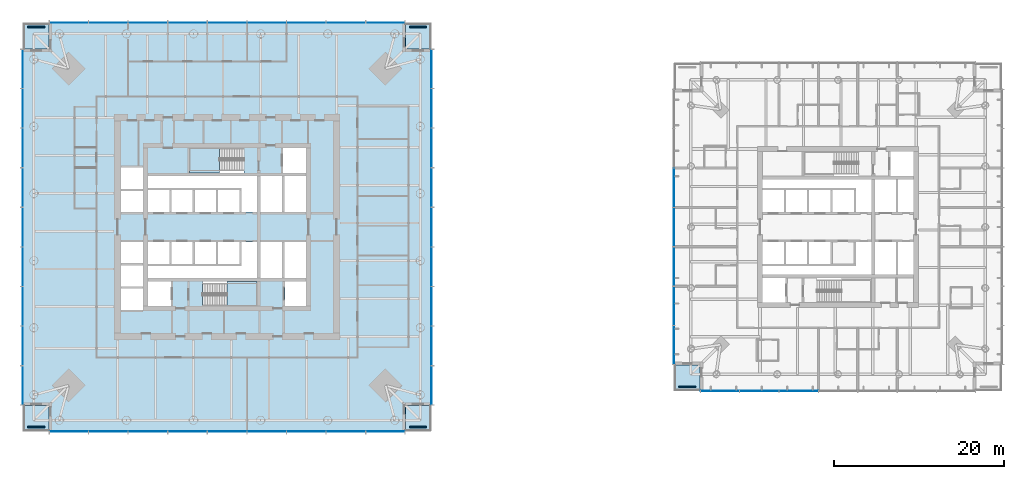
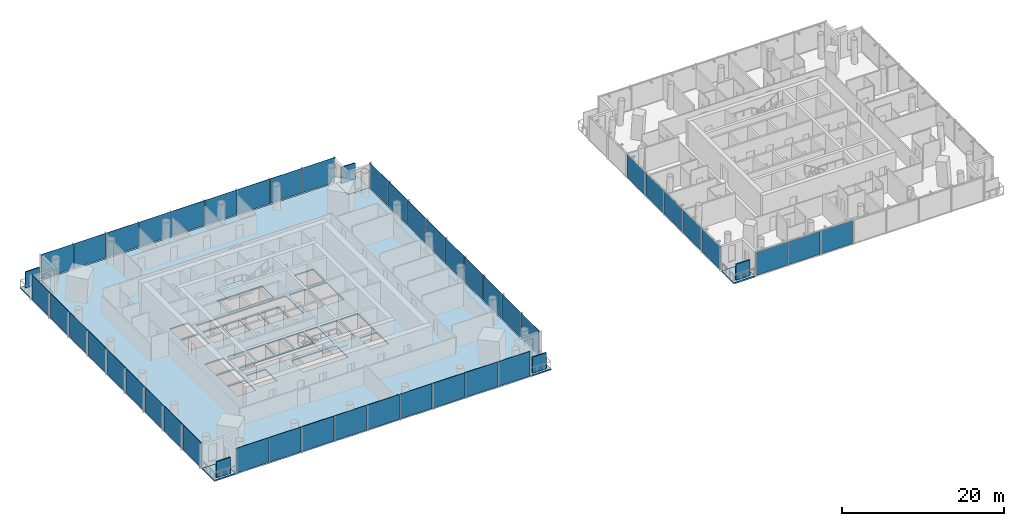
# One storey, part 8 of 21: 49 plates, 8 slabs, 8 elements without a shape of their own.
"""IFC4 building model written with IfcOpenShell, lengths in metres."""

from ifc_helpers import new_model, si_unit, direction, frame, origin, origin_2d, place, context, subcontext, project, spatial, polyline, rectangle, outline, extrude, material, layer, layer_set, type_object, element, aggregate, save


model = new_model("IFC4")

# Units and contexts
model_context = context("Model", 3, precision=1e-05, world=origin(), true_north=direction((0.0, 1.0)))
body_context = subcontext(model_context, "Body", "Model", "MODEL_VIEW")
ifc_project = project(units=[si_unit("LENGTHUNIT", "METRE"), si_unit("AREAUNIT", "SQUARE_METRE"), si_unit("VOLUMEUNIT", "CUBIC_METRE"), si_unit("PLANEANGLEUNIT", "RADIAN"), si_unit("MASSUNIT", "GRAM", prefix="KILO")], contexts=[model_context])

# Site, building, storey
site_placement = place(None, origin())
site = spatial("IfcSite", under=ifc_project, at=site_placement, CompositionType="ELEMENT")
building_placement = place(site_placement, origin())
building = spatial("IfcBuilding", under=site, at=building_placement, Name="Ostroluk Exchange", CompositionType="ELEMENT")
storey_placement = place(building_placement, frame((0.0, 0.0, 59.0)))
storey = spatial("IfcBuildingStorey", under=building, at=storey_placement, Name="L14", CompositionType="ELEMENT", Elevation=59.0)

# Curtain wall, plates
ifc_material_1 = material(Name="Laminated clear glass", Category="glass")
curtain_wall_type_1 = type_object("IfcCurtainWallType", Name="Hotel guest floor facade", PredefinedType="USERDEFINED", material=ifc_material_1)
curtain_wall_1_placement = place(storey_placement, origin())
curtain_wall_1 = element("IfcCurtainWall", 1, at=curtain_wall_1_placement, inside=storey, type_object=curtain_wall_type_1, Name="Hotel tower south facade L14", ObjectType="UNITISED CURTAIN WALL", PredefinedType="USERDEFINED")
ifc_material_2 = material(Name="Laminated clear glass", Category="glass")
ifc_layer_1 = layer(ifc_material_2, 0.0400390625)
ifc_layer_set_1 = layer_set([ifc_layer_1], Name="Acoustic laminated glazing 40")
plate_type_1 = type_object("IfcPlateType", Name="Acoustic laminated glazing 40", PredefinedType="CURTAIN_PANEL", material=ifc_layer_set_1)
plate_1_placement = place(storey_placement, frame((103.09130859375, 26.675048828125, 0.080078125), z_axis=(0.0, 0.0, 1.0), x_axis=(1.0, 0.0, 0.0)))
plate_1 = element("IfcPlate", 2, at=plate_1_placement, type_object=plate_type_1, Name="CW-H1 panel 1.1", PredefinedType="CURTAIN_PANEL", context=body_context, shape_type="SweptSolid", body=[
    extrude(rectangle(XDim=4.52294921875, YDim=0.0400390625, at=origin_2d()), origin(), (0.0, 0.0, 1.0), 3.489990234375),
])
plate_2_placement = place(storey_placement, frame((107.71435546875, 26.675048828125, 0.080078125), z_axis=(0.0, 0.0, 1.0), x_axis=(1.0, 0.0, 0.0)))
plate_2 = element("IfcPlate", 3, at=plate_2_placement, type_object=plate_type_1, Name="CW-H1 panel 2.1", PredefinedType="CURTAIN_PANEL", context=body_context, shape_type="SweptSolid", body=[
    extrude(rectangle(XDim=4.562744140625, YDim=0.0400390625, at=origin_2d()), origin(), (0.0, 0.0, 1.0), 3.489990234375),
])
plate_3_placement = place(storey_placement, frame((112.357177734375, 26.675048828125, 0.080078125), z_axis=(0.0, 0.0, 1.0), x_axis=(1.0, 0.0, 0.0)))
plate_3 = element("IfcPlate", 4, at=plate_3_placement, type_object=plate_type_1, Name="CW-H1 panel 3.1", PredefinedType="CURTAIN_PANEL", context=body_context, shape_type="SweptSolid", body=[
    extrude(rectangle(XDim=4.562744140625, YDim=0.0400390625, at=origin_2d()), origin(), (0.0, 0.0, 1.0), 3.489990234375),
])
aggregate(curtain_wall_1, [plate_1, plate_2, plate_3])

curtain_wall_2_placement = place(storey_placement, origin())
curtain_wall_2 = element("IfcCurtainWall", 5, at=curtain_wall_2_placement, inside=storey, type_object=curtain_wall_type_1, Name="Hotel tower west facade L14", ObjectType="UNITISED CURTAIN WALL", PredefinedType="USERDEFINED")
plate_4_placement = place(storey_placement, frame((97.675048828125, 50.642822265625, 0.080078125), z_axis=(0.0, 0.0, 1.0), x_axis=(0.0, -1.0, 0.0)))
plate_4 = element("IfcPlate", 6, at=plate_4_placement, type_object=plate_type_1, Name="CW-H1 panel 3.1", PredefinedType="CURTAIN_PANEL", context=body_context, shape_type="SweptSolid", body=[
    extrude(rectangle(XDim=4.562744140625, YDim=0.0400390625, at=origin_2d()), origin(), (0.0, 0.0, 1.0), 3.489990234375),
])
plate_5_placement = place(storey_placement, frame((97.675048828125, 46.0, 0.080078125), z_axis=(0.0, 0.0, 1.0), x_axis=(0.0, -1.0, 0.0)))
plate_5 = element("IfcPlate", 7, at=plate_5_placement, type_object=plate_type_1, Name="CW-H1 panel 4.1", PredefinedType="CURTAIN_PANEL", context=body_context, shape_type="SweptSolid", body=[
    extrude(rectangle(XDim=4.562744140625, YDim=0.0400390625, at=origin_2d()), origin(), (0.0, 0.0, 1.0), 3.489990234375),
])
plate_6_placement = place(storey_placement, frame((97.675048828125, 41.357177734375, 0.080078125), z_axis=(0.0, 0.0, 1.0), x_axis=(0.0, -1.0, 0.0)))
plate_6 = element("IfcPlate", 8, at=plate_6_placement, type_object=plate_type_1, Name="CW-H1 panel 5.1", PredefinedType="CURTAIN_PANEL", context=body_context, shape_type="SweptSolid", body=[
    extrude(rectangle(XDim=4.562744140625, YDim=0.0400390625, at=origin_2d()), origin(), (0.0, 0.0, 1.0), 3.489990234375),
])
plate_7_placement = place(storey_placement, frame((97.675048828125, 36.71435546875, 0.080078125), z_axis=(0.0, 0.0, 1.0), x_axis=(0.0, -1.0, 0.0)))
plate_7 = element("IfcPlate", 9, at=plate_7_placement, type_object=plate_type_1, Name="CW-H1 panel 6.1", PredefinedType="CURTAIN_PANEL", context=body_context, shape_type="SweptSolid", body=[
    extrude(rectangle(XDim=4.562744140625, YDim=0.0400390625, at=origin_2d()), origin(), (0.0, 0.0, 1.0), 3.489990234375),
])
plate_8_placement = place(storey_placement, frame((97.675048828125, 32.09130859375, 0.080078125), z_axis=(0.0, 0.0, 1.0), x_axis=(0.0, -1.0, 0.0)))
plate_8 = element("IfcPlate", 10, at=plate_8_placement, type_object=plate_type_1, Name="CW-H1 panel 7.1", PredefinedType="CURTAIN_PANEL", context=body_context, shape_type="SweptSolid", body=[
    extrude(rectangle(XDim=4.52294921875, YDim=0.0400390625, at=origin_2d()), origin(), (0.0, 0.0, 1.0), 3.489990234375),
])
aggregate(curtain_wall_2, [plate_4, plate_5, plate_6, plate_7, plate_8])

# Slabs
ifc_material_3 = material(Name="Concrete C35/45", Category="concrete")
ifc_layer_2 = layer(ifc_material_3, 0.179931640625)
ifc_layer_set_2 = layer_set([ifc_layer_2], Name="Balcony slab 180")
slab_type_1 = type_object("IfcSlabType", Name="Balcony slab 180", PredefinedType="USERDEFINED", material=ifc_layer_set_2)
slab_1_placement = place(storey_placement, frame((0.0, 0.0, -0.179931640625)))
element("IfcSlab", 11, at=slab_1_placement, inside=storey, type_object=slab_type_1, Name="Office tower SE corner balcony L14", ObjectType="BALCONY", PredefinedType="USERDEFINED", context=body_context, shape_type="SweptSolid", body=[
    extrude(outline(polyline([(66.0, 22.0), (69.0, 22.0), (69.0, 25.0), (66.0, 25.0), (66.0, 22.0)])), origin(), (0.0, 0.0, 1.0), 0.179931640625),
])
slab_2_placement = place(storey_placement, frame((0.0, 0.0, -0.179931640625)))
element("IfcSlab", 12, at=slab_2_placement, inside=storey, type_object=slab_type_1, Name="Office tower NE corner balcony L14", ObjectType="BALCONY", PredefinedType="USERDEFINED", context=body_context, shape_type="SweptSolid", body=[
    extrude(outline(polyline([(66.0, 67.0), (69.0, 67.0), (69.0, 70.0), (66.0, 70.0), (66.0, 67.0)])), origin(), (0.0, 0.0, 1.0), 0.179931640625),
])
slab_3_placement = place(storey_placement, frame((0.0, 0.0, -0.179931640625)))
element("IfcSlab", 13, at=slab_3_placement, inside=storey, type_object=slab_type_1, Name="Office tower NW corner balcony L14", ObjectType="BALCONY", PredefinedType="USERDEFINED", context=body_context, shape_type="SweptSolid", body=[
    extrude(outline(polyline([(21.0, 67.0), (24.0, 67.0), (24.0, 70.0), (21.0, 70.0), (21.0, 67.0)])), origin(), (0.0, 0.0, 1.0), 0.179931640625),
])
slab_4_placement = place(storey_placement, frame((0.0, 0.0, -0.179931640625)))
element("IfcSlab", 14, at=slab_4_placement, inside=storey, type_object=slab_type_1, Name="Office tower SW corner balcony L14", ObjectType="BALCONY", PredefinedType="USERDEFINED", context=body_context, shape_type="SweptSolid", body=[
    extrude(outline(polyline([(21.0, 22.0), (24.0, 22.0), (24.0, 25.0), (21.0, 25.0), (21.0, 22.0)])), origin(), (0.0, 0.0, 1.0), 0.179931640625),
])
ifc_material_4 = material(Name="Concrete C35/45", Category="concrete")
ifc_layer_3 = layer(ifc_material_4, 0.199951171875)
ifc_layer_set_3 = layer_set([ifc_layer_3], Name="Balcony slab 200")
slab_type_2 = type_object("IfcSlabType", Name="Balcony slab 200", PredefinedType="USERDEFINED", material=ifc_layer_set_3)
slab_5_placement = place(storey_placement, frame((0.0, 0.0, -0.199951171875)))
element("IfcSlab", 15, at=slab_5_placement, inside=storey, type_object=slab_type_2, Name="Hotel tower SW corner balcony L14", ObjectType="BALCONY", PredefinedType="USERDEFINED", context=body_context, shape_type="SweptSolid", body=[
    extrude(outline(polyline([(97.75, 26.75), (100.75, 26.75), (100.75, 29.75), (97.75, 29.75), (97.75, 26.75)])), origin(), (0.0, 0.0, 1.0), 0.199951171875),
])

# Plates
ifc_material_5 = material(Name="Steel S355 trellis with planting", Category="steel")
ifc_layer_4 = layer(ifc_material_5, 0.14990234375)
ifc_layer_set_4 = layer_set([ifc_layer_4], Name="Planted screen 150")
plate_type_2 = type_object("IfcPlateType", Name="Planted screen 150", PredefinedType="USERDEFINED", material=ifc_layer_set_4)
for number, where, z_axis, x_axis, name in (
    (16, (67.5, 22.425048828125, 0.0), (0.0, 0.0, 1.0), (1.0, 0.0, 0.0), "Office tower SE planted screen L14"),
    (17, (67.5, 69.574951171875, 0.0), (0.0, 0.0, 1.0), (1.0, 0.0, 0.0), "Office tower NE planted screen L14"),
    (18, (22.5, 69.574951171875, 0.0), (0.0, 0.0, 1.0), (1.0, 0.0, 0.0), "Office tower NW planted screen L14"),
    (19, (22.5, 22.425048828125, 0.0), (0.0, 0.0, 1.0), (1.0, 0.0, 0.0), "Office tower SW planted screen L14"),
    (20, (99.25, 27.175048828125, 0.0), (0.0, 0.0, 1.0), (1.0, 0.0, 0.0), "Hotel tower SW planted screen L14"),
):
    element("IfcPlate", number, at=place(storey_placement, frame(where, z_axis=z_axis, x_axis=x_axis)), inside=storey, type_object=plate_type_2, Name=name, ObjectType="PLANTED SCREEN", PredefinedType="USERDEFINED", context=body_context, shape_type="SweptSolid", body=[
        extrude(rectangle(XDim=2.0, YDim=0.14990234375, at=origin_2d()), origin(), (0.0, 0.0, 1.0), 2.39990234375),
    ])

# Stair, slab
ifc_material_6 = material(Name="Concrete C30/37", Category="concrete")
stair_type = type_object("IfcStairType", Name="Exit stair half turn 3800", PredefinedType="HALF_TURN_STAIR", material=ifc_material_6)
stair_1_placement = place(storey_placement, origin())
stair_1 = element("IfcStair", 21, at=stair_1_placement, inside=storey, type_object=stair_type, Name="Stair T1-S1 L14", PredefinedType="HALF_TURN_STAIR")
ifc_material_7 = material(Name="Concrete C30/37", Category="concrete")
ifc_layer_5 = layer(ifc_material_7, 0.199951171875)
ifc_layer_set_5 = layer_set([ifc_layer_5], Name="Stair landing 200")
slab_type_3 = type_object("IfcSlabType", Name="Stair landing 200", PredefinedType="LANDING", material=ifc_layer_set_5)
slab_6_placement = place(storey_placement, frame((0.0, 0.0, 1.699951171875)))
slab_6 = element("IfcSlab", 22, at=slab_6_placement, type_object=slab_type_3, Name="T1-S1 landing 1", PredefinedType="LANDING", context=body_context, shape_type="SweptSolid", body=[
    extrude(outline(polyline([(45.0, 36.699951171875), (45.0, 39.60009765625), (48.530029296875, 39.60009765625), (48.530029296875, 36.699951171875), (45.0, 36.699951171875)])), origin(), (0.0, 0.0, 1.0), 0.199951171875),
])
aggregate(stair_1, [slab_6])

stair_2_placement = place(storey_placement, origin())
stair_2 = element("IfcStair", 23, at=stair_2_placement, inside=storey, type_object=stair_type, Name="Stair T1-S2 L14", PredefinedType="HALF_TURN_STAIR")
slab_7_placement = place(storey_placement, frame((0.0, 0.0, 1.699951171875)))
slab_7 = element("IfcSlab", 24, at=slab_7_placement, type_object=slab_type_3, Name="T1-S2 landing 1", PredefinedType="LANDING", context=body_context, shape_type="SweptSolid", body=[
    extrude(outline(polyline([(44.1298828125, 52.39990234375), (44.1298828125, 55.300048828125), (40.60009765625, 55.300048828125), (40.60009765625, 52.39990234375), (44.1298828125, 52.39990234375)])), origin(), (0.0, 0.0, 1.0), 0.199951171875),
])
aggregate(stair_2, [slab_7])

# Slab
ifc_material_8 = material(Name="Concrete C35/45", Category="concrete")
ifc_layer_6 = layer(ifc_material_8, 0.179931640625)
ifc_layer_set_6 = layer_set([ifc_layer_6], Name="Tower floor slab 180 composite")
slab_type_4 = type_object("IfcSlabType", Name="Tower floor slab 180 composite", PredefinedType="FLOOR", material=ifc_layer_set_6)
slab_8_placement = place(storey_placement, frame((0.0, 0.0, -0.179931640625)))
element("IfcSlab", 25, at=slab_8_placement, inside=storey, type_object=slab_type_4, Name="Office tower floor slab L14", PredefinedType="FLOOR", context=body_context, shape_type="SweptSolid", body=[
    extrude(outline(polyline([(24.0, 22.0), (66.0, 22.0), (66.0, 25.0), (69.0, 25.0), (69.0, 67.0), (66.0, 67.0), (66.0, 70.0), (24.0, 70.0), (24.0, 67.0), (21.0, 67.0), (21.0, 25.0), (24.0, 25.0), (24.0, 22.0)]), holes=[polyline([(35.699951171875, 36.699951171875), (38.39990234375, 36.699951171875), (38.39990234375, 39.60009765625), (35.699951171875, 39.60009765625), (35.699951171875, 36.699951171875)]), polyline([(42.110107421875, 36.699951171875), (48.530029296875, 36.699951171875), (48.530029296875, 39.60009765625), (42.110107421875, 39.60009765625), (42.110107421875, 36.699951171875)]), polyline([(51.800048828125, 36.699951171875), (54.300048828125, 36.699951171875), (54.300048828125, 39.60009765625), (51.800048828125, 39.60009765625), (51.800048828125, 36.699951171875)]), polyline([(40.60009765625, 52.39990234375), (47.02001953125, 52.39990234375), (47.02001953125, 55.300048828125), (40.60009765625, 55.300048828125), (40.60009765625, 52.39990234375)]), polyline([(51.60009765625, 52.39990234375), (54.300048828125, 52.39990234375), (54.300048828125, 55.300048828125), (51.60009765625, 55.300048828125), (51.60009765625, 52.39990234375)]), polyline([(35.699951171875, 47.75), (38.199951171875, 47.75), (38.199951171875, 50.35009765625), (35.699951171875, 50.35009765625), (35.699951171875, 47.75)]), polyline([(38.449951171875, 47.75), (40.949951171875, 47.75), (40.949951171875, 50.35009765625), (38.449951171875, 50.35009765625), (38.449951171875, 47.75)]), polyline([(41.199951171875, 47.75), (43.699951171875, 47.75), (43.699951171875, 50.35009765625), (41.199951171875, 50.35009765625), (41.199951171875, 47.75)]), polyline([(43.949951171875, 47.75), (46.449951171875, 47.75), (46.449951171875, 50.35009765625), (43.949951171875, 50.35009765625), (43.949951171875, 47.75)]), polyline([(35.699951171875, 41.64990234375), (38.199951171875, 41.64990234375), (38.199951171875, 44.25), (35.699951171875, 44.25), (35.699951171875, 41.64990234375)]), polyline([(38.449951171875, 41.64990234375), (40.949951171875, 41.64990234375), (40.949951171875, 44.25), (38.449951171875, 44.25), (38.449951171875, 41.64990234375)]), polyline([(41.199951171875, 41.64990234375), (43.699951171875, 41.64990234375), (43.699951171875, 44.25), (41.199951171875, 44.25), (41.199951171875, 41.64990234375)]), polyline([(43.949951171875, 41.64990234375), (46.449951171875, 41.64990234375), (46.449951171875, 44.25), (43.949951171875, 44.25), (43.949951171875, 41.64990234375)]), polyline([(48.929931640625, 47.75), (51.489990234375, 47.75), (51.489990234375, 52.0), (48.929931640625, 52.0), (48.929931640625, 47.75)]), polyline([(51.739990234375, 47.75), (54.300048828125, 47.75), (54.300048828125, 52.0), (51.739990234375, 52.0), (51.739990234375, 47.75)]), polyline([(48.929931640625, 40.0), (51.489990234375, 40.0), (51.489990234375, 44.25), (48.929931640625, 44.25), (48.929931640625, 40.0)]), polyline([(51.739990234375, 40.0), (54.300048828125, 40.0), (54.300048828125, 44.25), (51.739990234375, 44.25), (51.739990234375, 40.0)]), polyline([(48.530029296875, 52.0), (48.530029296875, 47.75), (46.699951171875, 47.75), (46.699951171875, 50.60009765625), (35.699951171875, 50.60009765625), (35.699951171875, 52.0), (48.530029296875, 52.0)]), polyline([(35.699951171875, 40.0), (35.699951171875, 41.39990234375), (46.699951171875, 41.39990234375), (46.699951171875, 44.25), (48.530029296875, 44.25), (48.530029296875, 40.0), (35.699951171875, 40.0)]), polyline([(32.5, 36.25), (35.10009765625, 36.25), (35.10009765625, 38.75), (32.5, 38.75), (32.5, 36.25)]), polyline([(32.5, 39.0), (35.10009765625, 39.0), (35.10009765625, 41.5), (32.5, 41.5), (32.5, 39.0)]), polyline([(32.5, 41.75), (35.10009765625, 41.75), (35.10009765625, 44.25), (32.5, 44.25), (32.5, 41.75)]), polyline([(32.5, 47.75), (35.10009765625, 47.75), (35.10009765625, 50.25), (32.5, 50.25), (32.5, 47.75)]), polyline([(32.5, 50.5), (35.10009765625, 50.5), (35.10009765625, 53.0), (32.5, 53.0), (32.5, 50.5)])]), origin(), (0.0, 0.0, 1.0), 0.179931640625),
])

# Curtain wall, plates
ifc_material_9 = material(Name="Laminated clear glass", Category="glass")
curtain_wall_type_2 = type_object("IfcCurtainWallType", Name="Office tower facade", PredefinedType="USERDEFINED", material=ifc_material_9)
curtain_wall_3_placement = place(storey_placement, origin())
curtain_wall_3 = element("IfcCurtainWall", 26, at=curtain_wall_3_placement, inside=storey, type_object=curtain_wall_type_2, Name="Office tower south facade L14", ObjectType="UNITISED CURTAIN WALL", PredefinedType="USERDEFINED")
ifc_material_10 = material(Name="Laminated clear glass", Category="glass")
ifc_layer_7 = layer(ifc_material_10, 0.0439453125)
ifc_layer_set_7 = layer_set([ifc_layer_7], Name="Triple laminated clear glazing 44")
plate_type_3 = type_object("IfcPlateType", Name="Triple laminated clear glazing 44", PredefinedType="CURTAIN_PANEL", material=ifc_layer_set_7)
plate_9_placement = place(storey_placement, frame((26.353271484375, 21.925048828125, 0.080078125), z_axis=(0.0, 0.0, 1.0), x_axis=(1.0, 0.0, 0.0)))
plate_9 = element("IfcPlate", 27, at=plate_9_placement, type_object=plate_type_3, Name="CW-O1 panel 1.1", PredefinedType="CURTAIN_PANEL", context=body_context, shape_type="SweptSolid", body=[
    extrude(rectangle(XDim=4.546630859375, YDim=0.0439453125, at=origin_2d()), origin(), (0.0, 0.0, 1.0), 3.719970703125),
])
plate_10_placement = place(storey_placement, frame((31.0, 21.925048828125, 0.080078125), z_axis=(0.0, 0.0, 1.0), x_axis=(1.0, 0.0, 0.0)))
plate_10 = element("IfcPlate", 28, at=plate_10_placement, type_object=plate_type_3, Name="CW-O1 panel 2.1", PredefinedType="CURTAIN_PANEL", context=body_context, shape_type="SweptSolid", body=[
    extrude(rectangle(XDim=4.586669921875, YDim=0.0439453125, at=origin_2d()), origin(), (0.0, 0.0, 1.0), 3.719970703125),
])
plate_11_placement = place(storey_placement, frame((35.666748046875, 21.925048828125, 0.080078125), z_axis=(0.0, 0.0, 1.0), x_axis=(1.0, 0.0, 0.0)))
plate_11 = element("IfcPlate", 29, at=plate_11_placement, type_object=plate_type_3, Name="CW-O1 panel 3.1", PredefinedType="CURTAIN_PANEL", context=body_context, shape_type="SweptSolid", body=[
    extrude(rectangle(XDim=4.586669921875, YDim=0.0439453125, at=origin_2d()), origin(), (0.0, 0.0, 1.0), 3.719970703125),
])
plate_12_placement = place(storey_placement, frame((40.333251953125, 21.925048828125, 0.080078125), z_axis=(0.0, 0.0, 1.0), x_axis=(1.0, 0.0, 0.0)))
plate_12 = element("IfcPlate", 30, at=plate_12_placement, type_object=plate_type_3, Name="CW-O1 panel 4.1", PredefinedType="CURTAIN_PANEL", context=body_context, shape_type="SweptSolid", body=[
    extrude(rectangle(XDim=4.586669921875, YDim=0.0439453125, at=origin_2d()), origin(), (0.0, 0.0, 1.0), 3.719970703125),
])
plate_13_placement = place(storey_placement, frame((45.0, 21.925048828125, 0.080078125), z_axis=(0.0, 0.0, 1.0), x_axis=(1.0, 0.0, 0.0)))
plate_13 = element("IfcPlate", 31, at=plate_13_placement, type_object=plate_type_3, Name="CW-O1 panel 5.1", PredefinedType="CURTAIN_PANEL", context=body_context, shape_type="SweptSolid", body=[
    extrude(rectangle(XDim=4.586669921875, YDim=0.0439453125, at=origin_2d()), origin(), (0.0, 0.0, 1.0), 3.719970703125),
])
plate_14_placement = place(storey_placement, frame((49.666748046875, 21.925048828125, 0.080078125), z_axis=(0.0, 0.0, 1.0), x_axis=(1.0, 0.0, 0.0)))
plate_14 = element("IfcPlate", 32, at=plate_14_placement, type_object=plate_type_3, Name="CW-O1 panel 6.1", PredefinedType="CURTAIN_PANEL", context=body_context, shape_type="SweptSolid", body=[
    extrude(rectangle(XDim=4.586669921875, YDim=0.0439453125, at=origin_2d()), origin(), (0.0, 0.0, 1.0), 3.719970703125),
])
plate_15_placement = place(storey_placement, frame((54.333251953125, 21.925048828125, 0.080078125), z_axis=(0.0, 0.0, 1.0), x_axis=(1.0, 0.0, 0.0)))
plate_15 = element("IfcPlate", 33, at=plate_15_placement, type_object=plate_type_3, Name="CW-O1 panel 7.1", PredefinedType="CURTAIN_PANEL", context=body_context, shape_type="SweptSolid", body=[
    extrude(rectangle(XDim=4.586669921875, YDim=0.0439453125, at=origin_2d()), origin(), (0.0, 0.0, 1.0), 3.719970703125),
])
plate_16_placement = place(storey_placement, frame((59.0, 21.925048828125, 0.080078125), z_axis=(0.0, 0.0, 1.0), x_axis=(1.0, 0.0, 0.0)))
plate_16 = element("IfcPlate", 34, at=plate_16_placement, type_object=plate_type_3, Name="CW-O1 panel 8.1", PredefinedType="CURTAIN_PANEL", context=body_context, shape_type="SweptSolid", body=[
    extrude(rectangle(XDim=4.586669921875, YDim=0.0439453125, at=origin_2d()), origin(), (0.0, 0.0, 1.0), 3.719970703125),
])
plate_17_placement = place(storey_placement, frame((63.646728515625, 21.925048828125, 0.080078125), z_axis=(0.0, 0.0, 1.0), x_axis=(1.0, 0.0, 0.0)))
plate_17 = element("IfcPlate", 35, at=plate_17_placement, type_object=plate_type_3, Name="CW-O1 panel 9.1", PredefinedType="CURTAIN_PANEL", context=body_context, shape_type="SweptSolid", body=[
    extrude(rectangle(XDim=4.546630859375, YDim=0.0439453125, at=origin_2d()), origin(), (0.0, 0.0, 1.0), 3.719970703125),
])
aggregate(curtain_wall_3, [plate_9, plate_10, plate_11, plate_12, plate_13, plate_14, plate_15, plate_16, plate_17])

curtain_wall_4_placement = place(storey_placement, origin())
curtain_wall_4 = element("IfcCurtainWall", 36, at=curtain_wall_4_placement, inside=storey, type_object=curtain_wall_type_2, Name="Office tower east facade L14", ObjectType="UNITISED CURTAIN WALL", PredefinedType="USERDEFINED")
plate_18_placement = place(storey_placement, frame((69.074951171875, 27.353271484375, 0.080078125), z_axis=(0.0, 0.0, 1.0), x_axis=(0.0, 1.0, 0.0)))
plate_18 = element("IfcPlate", 37, at=plate_18_placement, type_object=plate_type_3, Name="CW-O1 panel 1.1", PredefinedType="CURTAIN_PANEL", context=body_context, shape_type="SweptSolid", body=[
    extrude(rectangle(XDim=4.546630859375, YDim=0.0439453125, at=origin_2d()), origin(), (0.0, 0.0, 1.0), 3.719970703125),
])
plate_19_placement = place(storey_placement, frame((69.074951171875, 32.0, 0.080078125), z_axis=(0.0, 0.0, 1.0), x_axis=(0.0, 1.0, 0.0)))
plate_19 = element("IfcPlate", 38, at=plate_19_placement, type_object=plate_type_3, Name="CW-O1 panel 2.1", PredefinedType="CURTAIN_PANEL", context=body_context, shape_type="SweptSolid", body=[
    extrude(rectangle(XDim=4.586669921875, YDim=0.0439453125, at=origin_2d()), origin(), (0.0, 0.0, 1.0), 3.719970703125),
])
plate_20_placement = place(storey_placement, frame((69.074951171875, 36.666748046875, 0.080078125), z_axis=(0.0, 0.0, 1.0), x_axis=(0.0, 1.0, 0.0)))
plate_20 = element("IfcPlate", 39, at=plate_20_placement, type_object=plate_type_3, Name="CW-O1 panel 3.1", PredefinedType="CURTAIN_PANEL", context=body_context, shape_type="SweptSolid", body=[
    extrude(rectangle(XDim=4.586669921875, YDim=0.0439453125, at=origin_2d()), origin(), (0.0, 0.0, 1.0), 3.719970703125),
])
plate_21_placement = place(storey_placement, frame((69.074951171875, 41.333251953125, 0.080078125), z_axis=(0.0, 0.0, 1.0), x_axis=(0.0, 1.0, 0.0)))
plate_21 = element("IfcPlate", 40, at=plate_21_placement, type_object=plate_type_3, Name="CW-O1 panel 4.1", PredefinedType="CURTAIN_PANEL", context=body_context, shape_type="SweptSolid", body=[
    extrude(rectangle(XDim=4.586669921875, YDim=0.0439453125, at=origin_2d()), origin(), (0.0, 0.0, 1.0), 3.719970703125),
])
plate_22_placement = place(storey_placement, frame((69.074951171875, 46.0, 0.080078125), z_axis=(0.0, 0.0, 1.0), x_axis=(0.0, 1.0, 0.0)))
plate_22 = element("IfcPlate", 41, at=plate_22_placement, type_object=plate_type_3, Name="CW-O1 panel 5.1", PredefinedType="CURTAIN_PANEL", context=body_context, shape_type="SweptSolid", body=[
    extrude(rectangle(XDim=4.586669921875, YDim=0.0439453125, at=origin_2d()), origin(), (0.0, 0.0, 1.0), 3.719970703125),
])
plate_23_placement = place(storey_placement, frame((69.074951171875, 50.666748046875, 0.080078125), z_axis=(0.0, 0.0, 1.0), x_axis=(0.0, 1.0, 0.0)))
plate_23 = element("IfcPlate", 42, at=plate_23_placement, type_object=plate_type_3, Name="CW-O1 panel 6.1", PredefinedType="CURTAIN_PANEL", context=body_context, shape_type="SweptSolid", body=[
    extrude(rectangle(XDim=4.586669921875, YDim=0.0439453125, at=origin_2d()), origin(), (0.0, 0.0, 1.0), 3.719970703125),
])
plate_24_placement = place(storey_placement, frame((69.074951171875, 55.333251953125, 0.080078125), z_axis=(0.0, 0.0, 1.0), x_axis=(0.0, 1.0, 0.0)))
plate_24 = element("IfcPlate", 43, at=plate_24_placement, type_object=plate_type_3, Name="CW-O1 panel 7.1", PredefinedType="CURTAIN_PANEL", context=body_context, shape_type="SweptSolid", body=[
    extrude(rectangle(XDim=4.586669921875, YDim=0.0439453125, at=origin_2d()), origin(), (0.0, 0.0, 1.0), 3.719970703125),
])
plate_25_placement = place(storey_placement, frame((69.074951171875, 60.0, 0.080078125), z_axis=(0.0, 0.0, 1.0), x_axis=(0.0, 1.0, 0.0)))
plate_25 = element("IfcPlate", 44, at=plate_25_placement, type_object=plate_type_3, Name="CW-O1 panel 8.1", PredefinedType="CURTAIN_PANEL", context=body_context, shape_type="SweptSolid", body=[
    extrude(rectangle(XDim=4.586669921875, YDim=0.0439453125, at=origin_2d()), origin(), (0.0, 0.0, 1.0), 3.719970703125),
])
plate_26_placement = place(storey_placement, frame((69.074951171875, 64.646728515625, 0.080078125), z_axis=(0.0, 0.0, 1.0), x_axis=(0.0, 1.0, 0.0)))
plate_26 = element("IfcPlate", 45, at=plate_26_placement, type_object=plate_type_3, Name="CW-O1 panel 9.1", PredefinedType="CURTAIN_PANEL", context=body_context, shape_type="SweptSolid", body=[
    extrude(rectangle(XDim=4.546630859375, YDim=0.0439453125, at=origin_2d()), origin(), (0.0, 0.0, 1.0), 3.719970703125),
])
aggregate(curtain_wall_4, [plate_18, plate_19, plate_20, plate_21, plate_22, plate_23, plate_24, plate_25, plate_26])

curtain_wall_5_placement = place(storey_placement, origin())
curtain_wall_5 = element("IfcCurtainWall", 46, at=curtain_wall_5_placement, inside=storey, type_object=curtain_wall_type_2, Name="Office tower north facade L14", ObjectType="UNITISED CURTAIN WALL", PredefinedType="USERDEFINED")
plate_27_placement = place(storey_placement, frame((63.646728515625, 70.074951171875, 0.080078125), z_axis=(0.0, 0.0, 1.0), x_axis=(-1.0, 0.0, 0.0)))
plate_27 = element("IfcPlate", 47, at=plate_27_placement, type_object=plate_type_3, Name="CW-O1 panel 1.1", PredefinedType="CURTAIN_PANEL", context=body_context, shape_type="SweptSolid", body=[
    extrude(rectangle(XDim=4.546630859375, YDim=0.0439453125, at=origin_2d()), origin(), (0.0, 0.0, 1.0), 3.719970703125),
])
plate_28_placement = place(storey_placement, frame((59.0, 70.074951171875, 0.080078125), z_axis=(0.0, 0.0, 1.0), x_axis=(-1.0, 0.0, 0.0)))
plate_28 = element("IfcPlate", 48, at=plate_28_placement, type_object=plate_type_3, Name="CW-O1 panel 2.1", PredefinedType="CURTAIN_PANEL", context=body_context, shape_type="SweptSolid", body=[
    extrude(rectangle(XDim=4.586669921875, YDim=0.0439453125, at=origin_2d()), origin(), (0.0, 0.0, 1.0), 3.719970703125),
])
plate_29_placement = place(storey_placement, frame((54.333251953125, 70.074951171875, 0.080078125), z_axis=(0.0, 0.0, 1.0), x_axis=(-1.0, 0.0, 0.0)))
plate_29 = element("IfcPlate", 49, at=plate_29_placement, type_object=plate_type_3, Name="CW-O1 panel 3.1", PredefinedType="CURTAIN_PANEL", context=body_context, shape_type="SweptSolid", body=[
    extrude(rectangle(XDim=4.586669921875, YDim=0.0439453125, at=origin_2d()), origin(), (0.0, 0.0, 1.0), 3.719970703125),
])
plate_30_placement = place(storey_placement, frame((49.666748046875, 70.074951171875, 0.080078125), z_axis=(0.0, 0.0, 1.0), x_axis=(-1.0, 0.0, 0.0)))
plate_30 = element("IfcPlate", 50, at=plate_30_placement, type_object=plate_type_3, Name="CW-O1 panel 4.1", PredefinedType="CURTAIN_PANEL", context=body_context, shape_type="SweptSolid", body=[
    extrude(rectangle(XDim=4.586669921875, YDim=0.0439453125, at=origin_2d()), origin(), (0.0, 0.0, 1.0), 3.719970703125),
])
plate_31_placement = place(storey_placement, frame((45.0, 70.074951171875, 0.080078125), z_axis=(0.0, 0.0, 1.0), x_axis=(-1.0, 0.0, 0.0)))
plate_31 = element("IfcPlate", 51, at=plate_31_placement, type_object=plate_type_3, Name="CW-O1 panel 5.1", PredefinedType="CURTAIN_PANEL", context=body_context, shape_type="SweptSolid", body=[
    extrude(rectangle(XDim=4.586669921875, YDim=0.0439453125, at=origin_2d()), origin(), (0.0, 0.0, 1.0), 3.719970703125),
])
plate_32_placement = place(storey_placement, frame((40.333251953125, 70.074951171875, 0.080078125), z_axis=(0.0, 0.0, 1.0), x_axis=(-1.0, 0.0, 0.0)))
plate_32 = element("IfcPlate", 52, at=plate_32_placement, type_object=plate_type_3, Name="CW-O1 panel 6.1", PredefinedType="CURTAIN_PANEL", context=body_context, shape_type="SweptSolid", body=[
    extrude(rectangle(XDim=4.586669921875, YDim=0.0439453125, at=origin_2d()), origin(), (0.0, 0.0, 1.0), 3.719970703125),
])
plate_33_placement = place(storey_placement, frame((35.666748046875, 70.074951171875, 0.080078125), z_axis=(0.0, 0.0, 1.0), x_axis=(-1.0, 0.0, 0.0)))
plate_33 = element("IfcPlate", 53, at=plate_33_placement, type_object=plate_type_3, Name="CW-O1 panel 7.1", PredefinedType="CURTAIN_PANEL", context=body_context, shape_type="SweptSolid", body=[
    extrude(rectangle(XDim=4.586669921875, YDim=0.0439453125, at=origin_2d()), origin(), (0.0, 0.0, 1.0), 3.719970703125),
])
plate_34_placement = place(storey_placement, frame((31.0, 70.074951171875, 0.080078125), z_axis=(0.0, 0.0, 1.0), x_axis=(-1.0, 0.0, 0.0)))
plate_34 = element("IfcPlate", 54, at=plate_34_placement, type_object=plate_type_3, Name="CW-O1 panel 8.1", PredefinedType="CURTAIN_PANEL", context=body_context, shape_type="SweptSolid", body=[
    extrude(rectangle(XDim=4.586669921875, YDim=0.0439453125, at=origin_2d()), origin(), (0.0, 0.0, 1.0), 3.719970703125),
])
plate_35_placement = place(storey_placement, frame((26.353271484375, 70.074951171875, 0.080078125), z_axis=(0.0, 0.0, 1.0), x_axis=(-1.0, 0.0, 0.0)))
plate_35 = element("IfcPlate", 55, at=plate_35_placement, type_object=plate_type_3, Name="CW-O1 panel 9.1", PredefinedType="CURTAIN_PANEL", context=body_context, shape_type="SweptSolid", body=[
    extrude(rectangle(XDim=4.546630859375, YDim=0.0439453125, at=origin_2d()), origin(), (0.0, 0.0, 1.0), 3.719970703125),
])
aggregate(curtain_wall_5, [plate_27, plate_28, plate_29, plate_30, plate_31, plate_32, plate_33, plate_34, plate_35])

curtain_wall_6_placement = place(storey_placement, origin())
curtain_wall_6 = element("IfcCurtainWall", 56, at=curtain_wall_6_placement, inside=storey, type_object=curtain_wall_type_2, Name="Office tower west facade L14", ObjectType="UNITISED CURTAIN WALL", PredefinedType="USERDEFINED")
plate_36_placement = place(storey_placement, frame((20.925048828125, 64.646728515625, 0.080078125), z_axis=(0.0, 0.0, 1.0), x_axis=(0.0, -1.0, 0.0)))
plate_36 = element("IfcPlate", 57, at=plate_36_placement, type_object=plate_type_3, Name="CW-O1 panel 1.1", PredefinedType="CURTAIN_PANEL", context=body_context, shape_type="SweptSolid", body=[
    extrude(rectangle(XDim=4.546630859375, YDim=0.0439453125, at=origin_2d()), origin(), (0.0, 0.0, 1.0), 3.719970703125),
])
plate_37_placement = place(storey_placement, frame((20.925048828125, 60.0, 0.080078125), z_axis=(0.0, 0.0, 1.0), x_axis=(0.0, -1.0, 0.0)))
plate_37 = element("IfcPlate", 58, at=plate_37_placement, type_object=plate_type_3, Name="CW-O1 panel 2.1", PredefinedType="CURTAIN_PANEL", context=body_context, shape_type="SweptSolid", body=[
    extrude(rectangle(XDim=4.586669921875, YDim=0.0439453125, at=origin_2d()), origin(), (0.0, 0.0, 1.0), 3.719970703125),
])
plate_38_placement = place(storey_placement, frame((20.925048828125, 55.333251953125, 0.080078125), z_axis=(0.0, 0.0, 1.0), x_axis=(0.0, -1.0, 0.0)))
plate_38 = element("IfcPlate", 59, at=plate_38_placement, type_object=plate_type_3, Name="CW-O1 panel 3.1", PredefinedType="CURTAIN_PANEL", context=body_context, shape_type="SweptSolid", body=[
    extrude(rectangle(XDim=4.586669921875, YDim=0.0439453125, at=origin_2d()), origin(), (0.0, 0.0, 1.0), 3.719970703125),
])
plate_39_placement = place(storey_placement, frame((20.925048828125, 50.666748046875, 0.080078125), z_axis=(0.0, 0.0, 1.0), x_axis=(0.0, -1.0, 0.0)))
plate_39 = element("IfcPlate", 60, at=plate_39_placement, type_object=plate_type_3, Name="CW-O1 panel 4.1", PredefinedType="CURTAIN_PANEL", context=body_context, shape_type="SweptSolid", body=[
    extrude(rectangle(XDim=4.586669921875, YDim=0.0439453125, at=origin_2d()), origin(), (0.0, 0.0, 1.0), 3.719970703125),
])
plate_40_placement = place(storey_placement, frame((20.925048828125, 46.0, 0.080078125), z_axis=(0.0, 0.0, 1.0), x_axis=(0.0, -1.0, 0.0)))
plate_40 = element("IfcPlate", 61, at=plate_40_placement, type_object=plate_type_3, Name="CW-O1 panel 5.1", PredefinedType="CURTAIN_PANEL", context=body_context, shape_type="SweptSolid", body=[
    extrude(rectangle(XDim=4.586669921875, YDim=0.0439453125, at=origin_2d()), origin(), (0.0, 0.0, 1.0), 3.719970703125),
])
plate_41_placement = place(storey_placement, frame((20.925048828125, 41.333251953125, 0.080078125), z_axis=(0.0, 0.0, 1.0), x_axis=(0.0, -1.0, 0.0)))
plate_41 = element("IfcPlate", 62, at=plate_41_placement, type_object=plate_type_3, Name="CW-O1 panel 6.1", PredefinedType="CURTAIN_PANEL", context=body_context, shape_type="SweptSolid", body=[
    extrude(rectangle(XDim=4.586669921875, YDim=0.0439453125, at=origin_2d()), origin(), (0.0, 0.0, 1.0), 3.719970703125),
])
plate_42_placement = place(storey_placement, frame((20.925048828125, 36.666748046875, 0.080078125), z_axis=(0.0, 0.0, 1.0), x_axis=(0.0, -1.0, 0.0)))
plate_42 = element("IfcPlate", 63, at=plate_42_placement, type_object=plate_type_3, Name="CW-O1 panel 7.1", PredefinedType="CURTAIN_PANEL", context=body_context, shape_type="SweptSolid", body=[
    extrude(rectangle(XDim=4.586669921875, YDim=0.0439453125, at=origin_2d()), origin(), (0.0, 0.0, 1.0), 3.719970703125),
])
plate_43_placement = place(storey_placement, frame((20.925048828125, 32.0, 0.080078125), z_axis=(0.0, 0.0, 1.0), x_axis=(0.0, -1.0, 0.0)))
plate_43 = element("IfcPlate", 64, at=plate_43_placement, type_object=plate_type_3, Name="CW-O1 panel 8.1", PredefinedType="CURTAIN_PANEL", context=body_context, shape_type="SweptSolid", body=[
    extrude(rectangle(XDim=4.586669921875, YDim=0.0439453125, at=origin_2d()), origin(), (0.0, 0.0, 1.0), 3.719970703125),
])
plate_44_placement = place(storey_placement, frame((20.925048828125, 27.353271484375, 0.080078125), z_axis=(0.0, 0.0, 1.0), x_axis=(0.0, -1.0, 0.0)))
plate_44 = element("IfcPlate", 65, at=plate_44_placement, type_object=plate_type_3, Name="CW-O1 panel 9.1", PredefinedType="CURTAIN_PANEL", context=body_context, shape_type="SweptSolid", body=[
    extrude(rectangle(XDim=4.546630859375, YDim=0.0439453125, at=origin_2d()), origin(), (0.0, 0.0, 1.0), 3.719970703125),
])
aggregate(curtain_wall_6, [plate_36, plate_37, plate_38, plate_39, plate_40, plate_41, plate_42, plate_43, plate_44])

save(model, "model.ifc")
